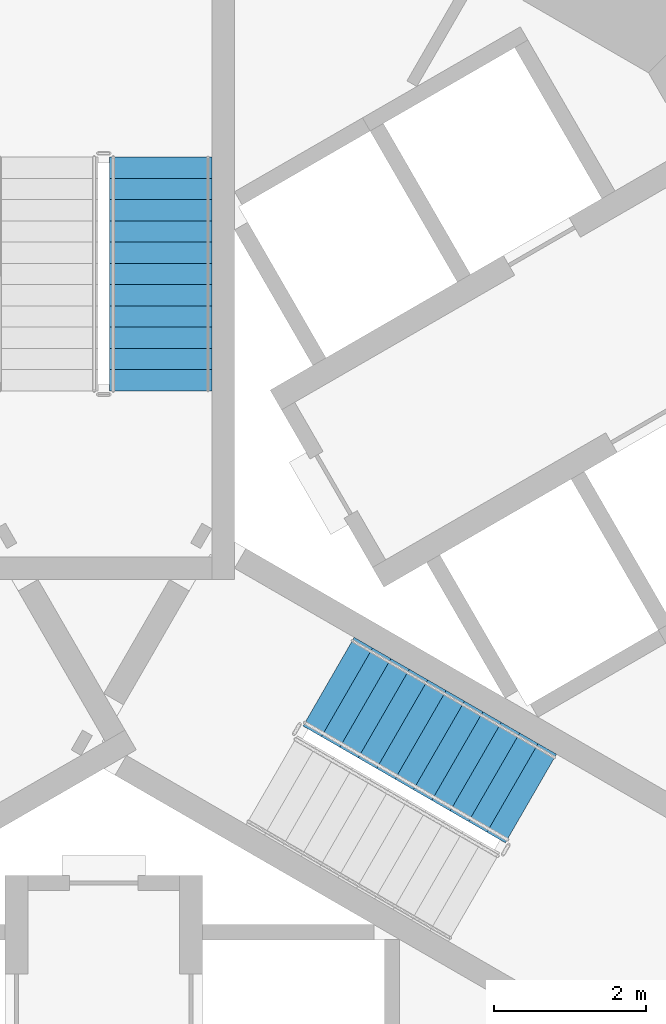
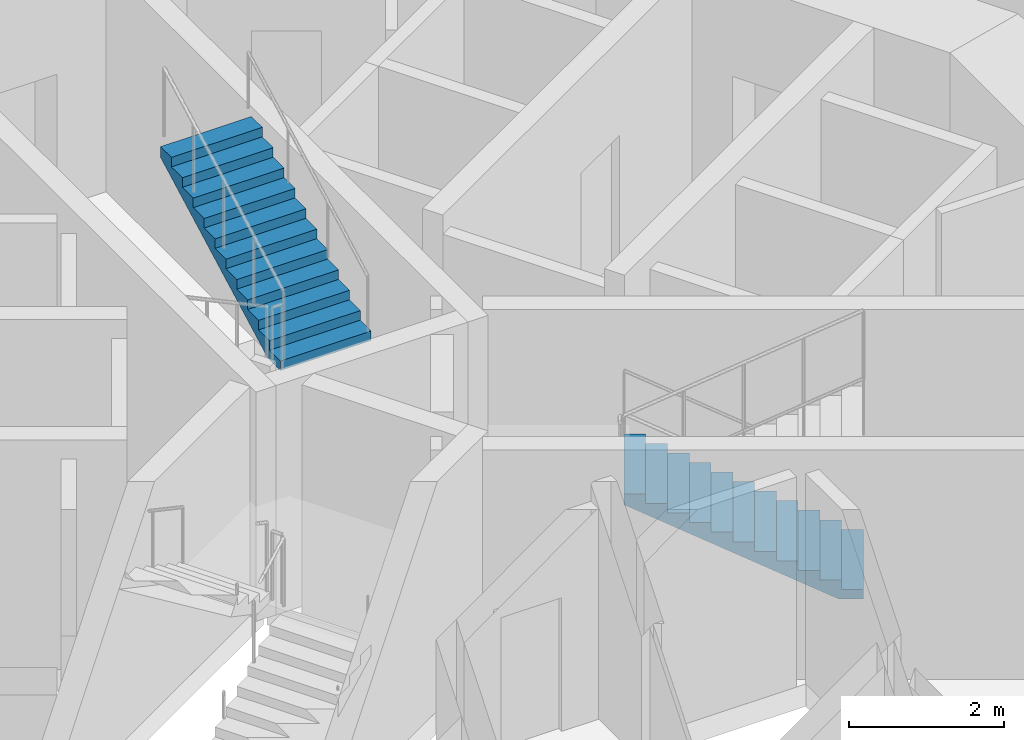
# One storey, part 12 of 20: 2 stair flights, 2 elements without a shape of their own.
"""IFC4 building model written with IfcOpenShell, lengths in metres."""

from ifc_helpers import new_model, si_unit, direction, frame, origin, place, context, subcontext, project, spatial, polyline, outline, extrude, material, type_object, element, aggregate, save


model = new_model("IFC4")

# Units and contexts
model_context = context("Model", 3, precision=1e-05, world=origin(), true_north=direction((0.0, 1.0)))
body_context = subcontext(model_context, "Body", "Model", "MODEL_VIEW")
ifc_project = project(units=[si_unit("LENGTHUNIT", "METRE"), si_unit("AREAUNIT", "SQUARE_METRE"), si_unit("VOLUMEUNIT", "CUBIC_METRE"), si_unit("PLANEANGLEUNIT", "RADIAN"), si_unit("MASSUNIT", "GRAM", prefix="KILO")], contexts=[model_context])

# Site, building, storey
site_placement = place(None, origin())
site = spatial("IfcSite", under=ifc_project, at=site_placement, CompositionType="ELEMENT")
building_placement = place(site_placement, origin())
building = spatial("IfcBuilding", under=site, at=building_placement, Name="Trine Commons Tower", CompositionType="ELEMENT")
storey_placement = place(building_placement, frame((0.0, 0.0, 50.39990234375)))
storey = spatial("IfcBuildingStorey", under=building, at=storey_placement, Name="L11", CompositionType="ELEMENT", Elevation=50.39990234375)

# Stair, stair flight
ifc_material = material(Name="Concrete C50/60", Category="concrete")
stair_type = type_object("IfcStairType", Name="Exit stair, dog-leg, 24 risers of 150 mm", PredefinedType="HALF_TURN_STAIR", material=ifc_material)
stair_1_placement = place(storey_placement, origin())
stair_1 = element("IfcStair", 1, at=stair_1_placement, inside=storey, type_object=stair_type, Name="L11 Exit stair ST1A", PredefinedType="HALF_TURN_STAIR")
stair_flight_type = type_object("IfcStairFlightType", Name="Stair flight, 1350 wide, 12 risers of 150 mm", PredefinedType="STRAIGHT", material=ifc_material)
stair_flight_1_placement = place(storey_placement, frame((80.75, 65.490478515625, 1.800048828125), z_axis=(0.0, 0.0, 1.0), x_axis=(0.0, 1.0, 0.0)))
stair_flight_1 = element("IfcStairFlight", 2, at=stair_flight_1_placement, type_object=stair_flight_type, Name="ST1A flight 2", NumberOfRisers=12, NumberOfTreads=11, PredefinedType="STRAIGHT", RiserHeight=0.15, TreadLength=0.28, context=body_context, shape_type="SweptSolid", body=[
    extrude(outline(polyline([(0.0, 0.0), (0.0, 0.14990234375), (0.280029296875, 0.14990234375), (0.280029296875, 0.300048828125), (0.56005859375, 0.300048828125), (0.56005859375, 0.449951171875), (0.840087890625, 0.449951171875), (0.840087890625, 0.60009765625), (1.1201171875, 0.60009765625), (1.1201171875, 0.75), (1.39990234375, 0.75), (1.39990234375, 0.89990234375), (1.679931640625, 0.89990234375), (1.679931640625, 1.050048828125), (1.9599609375, 1.050048828125), (1.9599609375, 1.199951171875), (2.239990234375, 1.199951171875), (2.239990234375, 1.35009765625), (2.52001953125, 1.35009765625), (2.52001953125, 1.5), (2.800048828125, 1.5), (2.800048828125, 1.64990234375), (3.080078125, 1.64990234375), (3.080078125, 1.800048828125), (3.080078125, 1.47998046875), (0.3173828125, 0.0), (0.0, 0.0)])), frame((0.0, 0.675048828125, 0.0), z_axis=(0.0, -1.0, 0.0), x_axis=(1.0, 0.0, 0.0)), (0.0, 0.0, 1.0), 1.35009765625),
])
aggregate(stair_1, [stair_flight_1])

stair_2_placement = place(storey_placement, origin())
stair_2 = element("IfcStair", 3, at=stair_2_placement, inside=storey, type_object=stair_type, Name="L11 Exit stair ST3A", PredefinedType="HALF_TURN_STAIR")
stair_flight_2_placement = place(storey_placement, frame((85.63232421875, 60.1142578125, 0.0), z_axis=(0.0, 0.0, 1.0), x_axis=(-0.866025403784, 0.5, 0.0)))
stair_flight_2 = element("IfcStairFlight", 4, at=stair_flight_2_placement, type_object=stair_flight_type, Name="ST3A flight 1", NumberOfRisers=12, NumberOfTreads=11, PredefinedType="STRAIGHT", RiserHeight=0.15, TreadLength=0.28, context=body_context, shape_type="SweptSolid", body=[
    extrude(outline(polyline([(0.0, 0.0), (0.0, 0.14990234375), (0.280029296875, 0.14990234375), (0.280029296875, 0.300048828125), (0.56005859375, 0.300048828125), (0.56005859375, 0.449951171875), (0.840087890625, 0.449951171875), (0.840087890625, 0.60009765625), (1.1201171875, 0.60009765625), (1.1201171875, 0.75), (1.39990234375, 0.75), (1.39990234375, 0.89990234375), (1.679931640625, 0.89990234375), (1.679931640625, 1.050048828125), (1.9599609375, 1.050048828125), (1.9599609375, 1.199951171875), (2.239990234375, 1.199951171875), (2.239990234375, 1.35009765625), (2.52001953125, 1.35009765625), (2.52001953125, 1.5), (2.800048828125, 1.5), (2.800048828125, 1.64990234375), (3.080078125, 1.64990234375), (3.080078125, 1.800048828125), (3.080078125, 1.47998046875), (0.3173828125, 0.0), (0.0, 0.0)])), frame((0.0, 0.675048828125, 0.0), z_axis=(0.0, -1.0, 0.0), x_axis=(1.0, 0.0, 0.0)), (0.0, 0.0, 1.0), 1.35009765625),
])
aggregate(stair_2, [stair_flight_2])

save(model, "model.ifc")
